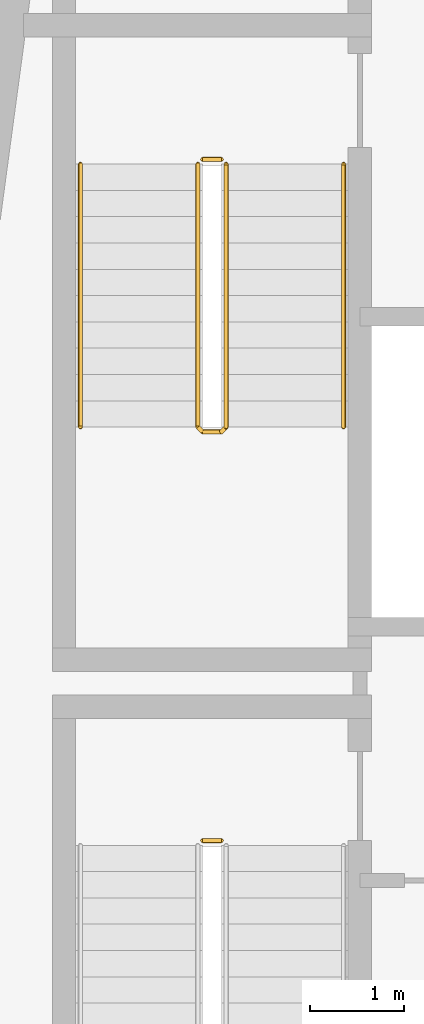
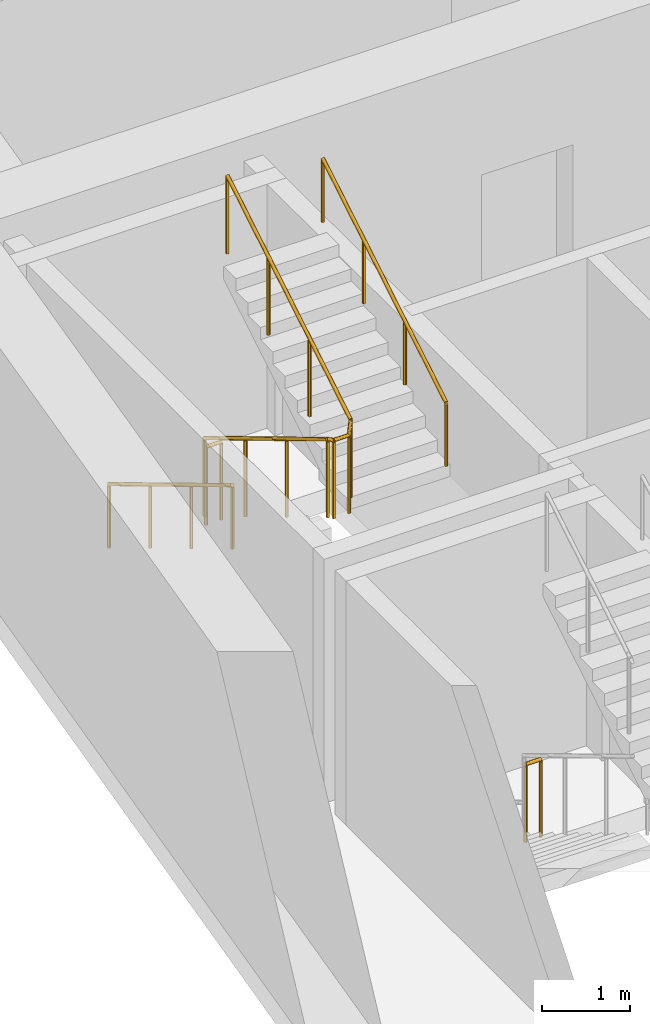
# One storey, part 9 of 12: 5 railings.
"""IFC4 building model written with IfcOpenShell, lengths in metres."""

from ifc_helpers import new_model, si_unit, direction, frame, origin, origin_2d, place, context, subcontext, project, spatial, circle, extrude, material, type_object, element, save


model = new_model("IFC4")

# Units and contexts
model_context = context("Model", 3, precision=1e-05, world=origin(), true_north=direction((0.0, 1.0)))
body_context = subcontext(model_context, "Body", "Model", "MODEL_VIEW")
ifc_project = project(units=[si_unit("LENGTHUNIT", "METRE"), si_unit("AREAUNIT", "SQUARE_METRE"), si_unit("VOLUMEUNIT", "CUBIC_METRE"), si_unit("PLANEANGLEUNIT", "RADIAN"), si_unit("MASSUNIT", "GRAM", prefix="KILO")], contexts=[model_context])

# Site, building, storey
site_placement = place(None, origin())
site = spatial("IfcSite", under=ifc_project, at=site_placement, CompositionType="ELEMENT")
building_placement = place(site_placement, origin())
building = spatial("IfcBuilding", under=site, at=building_placement, Name="Candeia Pilgrim Tower and Theatre", CompositionType="ELEMENT")
storey_placement = place(building_placement, frame((0.0, 0.0, 224.39990234375)))
storey = spatial("IfcBuildingStorey", under=building, at=storey_placement, Name="L54", CompositionType="ELEMENT", Elevation=224.39990234375)

# Railings
ifc_material_1 = material(Name="Stainless steel balustrade", Category="steel")
railing_type_1 = type_object("IfcRailingType", Name="RL-GUARD-1100", PredefinedType="GUARDRAIL", material=ifc_material_1)
railing_1_placement = place(storey_placement, frame((91.152099609375, 122.52490234375, 0.0)))
element("IfcRailing", 1, at=railing_1_placement, inside=storey, type_object=railing_type_1, Name="L54 ST1 stair guard 2", PredefinedType="GUARDRAIL", context=body_context, shape_type="SweptSolid", body=[
    extrude(circle(Radius=0.02392578125, at=origin_2d()), frame((0.0, 0.0, 1.076171875), z_axis=(1.0, 0.0, 0.0), x_axis=(0.0, 1.0, 0.0)), (0.0, 0.0, 1.0), 0.199951171875),
    extrude(circle(Radius=0.02099609375, at=origin_2d()), origin(), (0.0, 0.0, 1.0), 1.052001953125),
    extrude(circle(Radius=0.02099609375, at=origin_2d()), frame((0.199951171875, 0.0, 0.0)), (0.0, 0.0, 1.0), 1.052001953125),
])
railing_2_placement = place(storey_placement, frame((91.10205078125, 129.72509765625, 0.168212890625)))
element("IfcRailing", 2, at=railing_2_placement, inside=storey, type_object=railing_type_1, Name="L54 ST2 stair guard 1", PredefinedType="GUARDRAIL", context=body_context, shape_type="SweptSolid", body=[
    extrude(circle(Radius=0.02392578125, at=origin_2d()), frame((0.0, 0.0, 1.076171875), z_axis=(0.0, -0.857242210791, 0.514913383045), x_axis=(1.0, 0.0, 0.0)), (0.0, 0.0, 1.0), 3.266357421875),
    extrude(circle(Radius=0.02392578125, at=origin_2d()), frame((0.0, -2.800048828125, 2.7578125), z_axis=(0.707106781187, -0.707106781187, 0.0), x_axis=(0.707106781187, 0.707106781187, 0.0)), (0.0, 0.0, 1.0), 0.07080078125),
    extrude(circle(Radius=0.02392578125, at=origin_2d()), frame((0.050048828125, -2.85009765625, 2.7578125), z_axis=(1.0, 0.0, 0.0), x_axis=(0.0, 1.0, 0.0)), (0.0, 0.0, 1.0), 0.199951171875),
    extrude(circle(Radius=0.02392578125, at=origin_2d()), frame((0.25, -2.85009765625, 2.7578125), z_axis=(0.274243871929, 0.274243871929, 0.92172696468), x_axis=(-0.707106781187, 0.707106781187, 0.0)), (0.0, 0.0, 1.0), 0.1826171875),
    extrude(circle(Radius=0.02392578125, at=origin_2d()), frame((0.300048828125, -2.800048828125, 2.92626953125), z_axis=(0.0, 0.857242210791, 0.514913383045), x_axis=(-1.0, 0.0, 0.0)), (0.0, 0.0, 1.0), 3.266357421875),
    extrude(circle(Radius=0.02099609375, at=origin_2d()), origin(), (0.0, 0.0, 1.0), 1.052001953125),
    extrude(circle(Radius=0.02099609375, at=origin_2d()), frame((0.0, -0.933349609375, 0.560546875)), (0.0, 0.0, 1.0), 1.052001953125),
    extrude(circle(Radius=0.02099609375, at=origin_2d()), frame((0.0, -1.86669921875, 1.121337890625)), (0.0, 0.0, 1.0), 1.052001953125),
    extrude(circle(Radius=0.02099609375, at=origin_2d()), frame((0.0, -2.800048828125, 1.681884765625)), (0.0, 0.0, 1.0), 1.052001953125),
    extrude(circle(Radius=0.02099609375, at=origin_2d()), frame((0.050048828125, -2.85009765625, 1.681884765625)), (0.0, 0.0, 1.0), 1.052001953125),
    extrude(circle(Radius=0.02099609375, at=origin_2d()), frame((0.25, -2.85009765625, 1.681884765625)), (0.0, 0.0, 1.0), 1.052001953125),
    extrude(circle(Radius=0.02099609375, at=origin_2d()), frame((0.300048828125, -2.800048828125, 1.85009765625)), (0.0, 0.0, 1.0), 1.052001953125),
    extrude(circle(Radius=0.02099609375, at=origin_2d()), frame((0.300048828125, -1.86669921875, 2.41064453125)), (0.0, 0.0, 1.0), 1.052001953125),
    extrude(circle(Radius=0.02099609375, at=origin_2d()), frame((0.300048828125, -0.933349609375, 2.971435546875)), (0.0, 0.0, 1.0), 1.052001953125),
    extrude(circle(Radius=0.02099609375, at=origin_2d()), frame((0.300048828125, 0.0, 3.531982421875)), (0.0, 0.0, 1.0), 1.052001953125),
])
railing_3_placement = place(storey_placement, frame((91.152099609375, 129.77490234375, 0.0)))
element("IfcRailing", 3, at=railing_3_placement, inside=storey, type_object=railing_type_1, Name="L54 ST2 stair guard 2", PredefinedType="GUARDRAIL", context=body_context, shape_type="SweptSolid", body=[
    extrude(circle(Radius=0.02392578125, at=origin_2d()), frame((0.0, 0.0, 1.076171875), z_axis=(1.0, 0.0, 0.0), x_axis=(0.0, 1.0, 0.0)), (0.0, 0.0, 1.0), 0.199951171875),
    extrude(circle(Radius=0.02099609375, at=origin_2d()), origin(), (0.0, 0.0, 1.0), 1.052001953125),
    extrude(circle(Radius=0.02099609375, at=origin_2d()), frame((0.199951171875, 0.0, 0.0)), (0.0, 0.0, 1.0), 1.052001953125),
])
ifc_material_2 = material(Name="Stainless steel handrail", Category="steel")
railing_type_2 = type_object("IfcRailingType", Name="RL-HANDRAIL-900", PredefinedType="HANDRAIL", material=ifc_material_2)
railing_4_placement = place(storey_placement, frame((89.85205078125, 129.72509765625, 0.168212890625)))
element("IfcRailing", 4, at=railing_4_placement, inside=storey, type_object=railing_type_2, Name="L54 ST2 stair handrail 1", PredefinedType="HANDRAIL", context=body_context, shape_type="SweptSolid", body=[
    extrude(circle(Radius=0.02392578125, at=origin_2d()), frame((0.0, 0.0, 0.8759765625), z_axis=(0.0, -0.857242210791, 0.514913383045), x_axis=(1.0, 0.0, 0.0)), (0.0, 0.0, 1.0), 3.266357421875),
    extrude(circle(Radius=0.02099609375, at=origin_2d()), origin(), (0.0, 0.0, 1.0), 0.851806640625),
    extrude(circle(Radius=0.02099609375, at=origin_2d()), frame((0.0, -0.933349609375, 0.560546875)), (0.0, 0.0, 1.0), 0.851806640625),
    extrude(circle(Radius=0.02099609375, at=origin_2d()), frame((0.0, -1.86669921875, 1.121337890625)), (0.0, 0.0, 1.0), 0.851806640625),
    extrude(circle(Radius=0.02099609375, at=origin_2d()), frame((0.0, -2.800048828125, 1.681884765625)), (0.0, 0.0, 1.0), 0.851806640625),
])
railing_5_placement = place(storey_placement, frame((92.652099609375, 126.925048828125, 2.018310546875)))
element("IfcRailing", 5, at=railing_5_placement, inside=storey, type_object=railing_type_2, Name="L54 ST2 stair handrail 2", PredefinedType="HANDRAIL", context=body_context, shape_type="SweptSolid", body=[
    extrude(circle(Radius=0.02392578125, at=origin_2d()), frame((0.0, 0.0, 0.8759765625), z_axis=(0.0, 0.857242210791, 0.514913383045), x_axis=(-1.0, 0.0, 0.0)), (0.0, 0.0, 1.0), 3.266357421875),
    extrude(circle(Radius=0.02099609375, at=origin_2d()), origin(), (0.0, 0.0, 1.0), 0.851806640625),
    extrude(circle(Radius=0.02099609375, at=origin_2d()), frame((0.0, 0.933349609375, 0.560546875)), (0.0, 0.0, 1.0), 0.851806640625),
    extrude(circle(Radius=0.02099609375, at=origin_2d()), frame((0.0, 1.86669921875, 1.121337890625)), (0.0, 0.0, 1.0), 0.851806640625),
    extrude(circle(Radius=0.02099609375, at=origin_2d()), frame((0.0, 2.800048828125, 1.681884765625)), (0.0, 0.0, 1.0), 0.851806640625),
])

save(model, "model.ifc")
